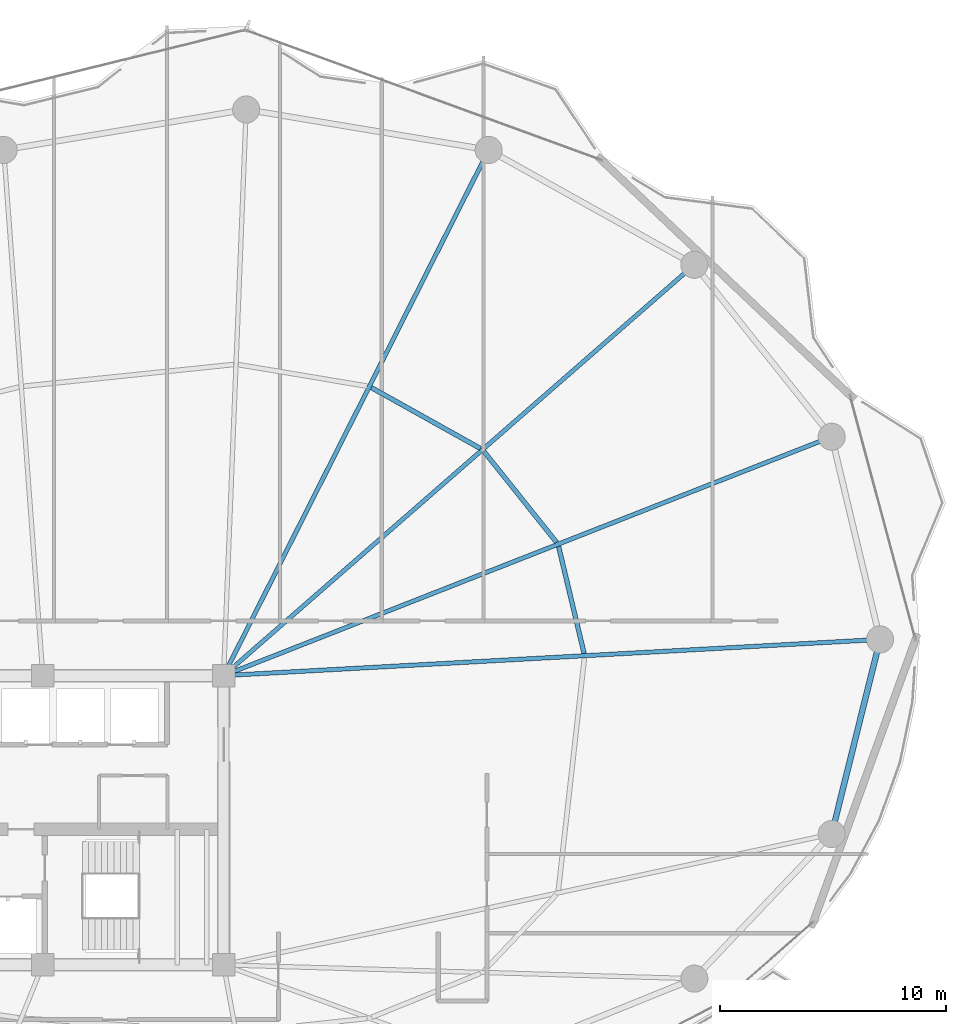
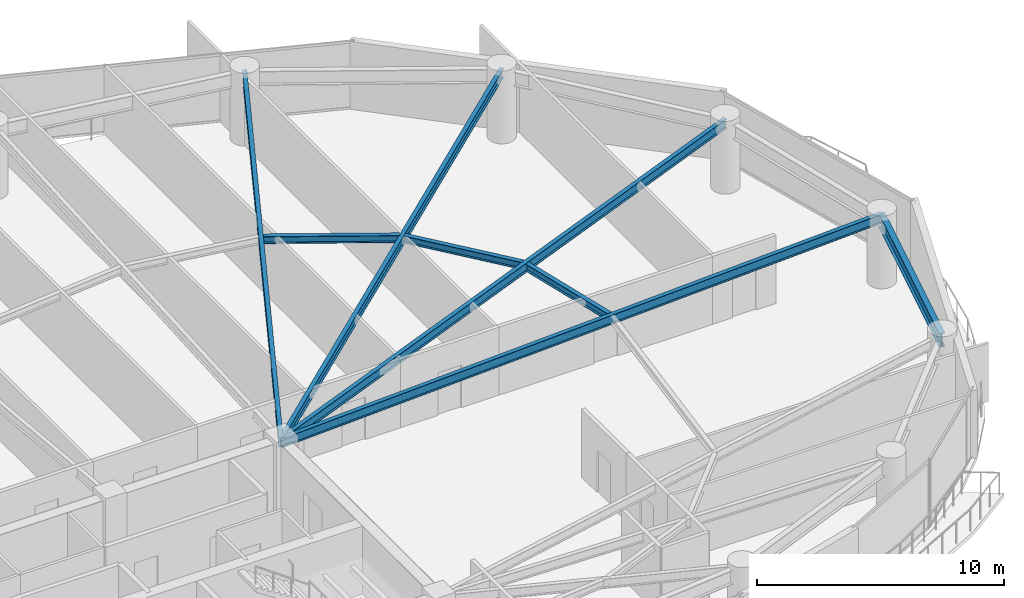
# One storey, part 14 of 28: 8 beams.
"""IFC4 building model written with IfcOpenShell, lengths in metres."""

from ifc_helpers import new_model, si_unit, direction, frame, origin, origin_2d, place, context, subcontext, project, spatial, i_section, extrude, material, material_profile, profile_set, type_object, element, save


model = new_model("IFC4")

# Units and contexts
model_context = context("Model", 3, precision=1e-05, world=origin(), true_north=direction((0.0, 1.0)))
body_context = subcontext(model_context, "Body", "Model", "MODEL_VIEW")
ifc_project = project(units=[si_unit("LENGTHUNIT", "METRE"), si_unit("AREAUNIT", "SQUARE_METRE"), si_unit("VOLUMEUNIT", "CUBIC_METRE"), si_unit("PLANEANGLEUNIT", "RADIAN"), si_unit("MASSUNIT", "GRAM", prefix="KILO")], contexts=[model_context])

# Site, building, storey
site_placement = place(None, origin())
site = spatial("IfcSite", under=ifc_project, at=site_placement, CompositionType="ELEMENT")
building_placement = place(site_placement, origin())
building = spatial("IfcBuilding", under=site, at=building_placement, Name="Kazevale Care Tower and Concert Hall", CompositionType="ELEMENT")
storey_placement = place(building_placement, frame((0.0, 0.0, 106.199951171875)))
storey = spatial("IfcBuildingStorey", under=building, at=storey_placement, Name="L27", CompositionType="ELEMENT", Elevation=106.199951171875)

# Beams
ifc_material = material(Name="Steel ASTM A572 Gr 50", Category="steel")
ifc_material_profile_1 = material_profile(ifc_material, i_section(OverallWidth=0.19091796875, OverallDepth=0.4599609375, WebThickness=0.010009765625, FlangeThickness=0.01611328125, at=origin_2d()), Name="W460x82")
ifc_profile_set_1 = profile_set([ifc_material_profile_1], Name="Steel ASTM A572 Gr 50")
beam_type_1 = type_object("IfcBeamType", Name="Radial Floor Beam W460x82", PredefinedType="BEAM", material=ifc_profile_set_1)
beam_1_placement = place(storey_placement, frame((44.0, 36.39990234375, 3.130126953125), z_axis=(0.998486500016, 0.054997357076, 0.0), x_axis=(-0.054997357076, 0.998486500016, 0.0)))
element("IfcBeam", 1, at=beam_1_placement, inside=storey, type_object=beam_type_1, Name="beam:L27:rad:01", PredefinedType="BEAM", context=body_context, shape_type="SweptSolid", body=[
    extrude(i_section(OverallWidth=0.19091796875, OverallDepth=0.4599609375, WebThickness=0.010009765625, FlangeThickness=0.01611328125, at=origin_2d()), origin(), (0.0, 0.0, 1.0), 29.093994140625),
])
beam_2_placement = place(storey_placement, frame((44.0, 36.39990234375, 3.130126953125), z_axis=(0.930771301513, 0.36560194786, 0.0), x_axis=(-0.36560194786, 0.930771301513, 0.0)))
element("IfcBeam", 2, at=beam_2_placement, inside=storey, type_object=beam_type_1, Name="beam:L27:rad:02", PredefinedType="BEAM", context=body_context, shape_type="SweptSolid", body=[
    extrude(i_section(OverallWidth=0.19091796875, OverallDepth=0.4599609375, WebThickness=0.010009765625, FlangeThickness=0.01611328125, at=origin_2d()), origin(), (0.0, 0.0, 1.0), 28.911376953125),
])
beam_3_placement = place(storey_placement, frame((44.0, 36.39990234375, 3.130126953125), z_axis=(0.753403181998, 0.657558853149, 0.0), x_axis=(-0.657558853149, 0.753403181998, 0.0)))
element("IfcBeam", 3, at=beam_3_placement, inside=storey, type_object=beam_type_1, Name="beam:L27:rad:03", PredefinedType="BEAM", context=body_context, shape_type="SweptSolid", body=[
    extrude(i_section(OverallWidth=0.19091796875, OverallDepth=0.4599609375, WebThickness=0.010009765625, FlangeThickness=0.01611328125, at=origin_2d()), origin(), (0.0, 0.0, 1.0), 27.64794921875),
])
beam_4_placement = place(storey_placement, frame((44.0, 36.39990234375, 3.130126953125), z_axis=(0.450281187568, 0.892886808124, 0.0), x_axis=(-0.892886808124, 0.450281187568, 0.0)))
element("IfcBeam", 4, at=beam_4_placement, inside=storey, type_object=beam_type_1, Name="beam:L27:rad:04", PredefinedType="BEAM", context=body_context, shape_type="SweptSolid", body=[
    extrude(i_section(OverallWidth=0.19091796875, OverallDepth=0.4599609375, WebThickness=0.010009765625, FlangeThickness=0.01611328125, at=origin_2d()), origin(), (0.0, 0.0, 1.0), 26.05029296875),
])
ifc_material_profile_2 = material_profile(ifc_material, i_section(OverallWidth=0.205078125, OverallDepth=0.35400390625, WebThickness=0.009521484375, FlangeThickness=0.016845703125, at=origin_2d()), Name="W360x79")
ifc_profile_set_2 = profile_set([ifc_material_profile_2], Name="Steel ASTM A572 Gr 50")
beam_type_2 = type_object("IfcBeamType", Name="Secondary Floor Joist W360x79", PredefinedType="JOIST", material=ifc_profile_set_2)
beam_5_placement = place(storey_placement, frame((59.952880859375, 37.382080078125, 3.18310546875), z_axis=(-0.232005223279, 0.972714540023, 0.0), x_axis=(-0.972714540023, -0.232005223279, 0.0)))
element("IfcBeam", 5, at=beam_5_placement, inside=storey, type_object=beam_type_2, Name="beam:L27:joist:01", PredefinedType="JOIST", context=body_context, shape_type="SweptSolid", body=[
    extrude(i_section(OverallWidth=0.205078125, OverallDepth=0.35400390625, WebThickness=0.009521484375, FlangeThickness=0.016845703125, at=origin_2d()), origin(), (0.0, 0.0, 1.0), 4.861572265625),
])
beam_6_placement = place(storey_placement, frame((58.735107421875, 42.2958984375, 3.18310546875), z_axis=(-0.624261115922, 0.781215757104, 0.0), x_axis=(-0.781215757104, -0.624261115922, 0.0)))
element("IfcBeam", 6, at=beam_6_placement, inside=storey, type_object=beam_type_2, Name="beam:L27:joist:02", PredefinedType="JOIST", context=body_context, shape_type="SweptSolid", body=[
    extrude(i_section(OverallWidth=0.205078125, OverallDepth=0.35400390625, WebThickness=0.009521484375, FlangeThickness=0.016845703125, at=origin_2d()), origin(), (0.0, 0.0, 1.0), 5.147216796875),
])
beam_7_placement = place(storey_placement, frame((55.364990234375, 46.449951171875, 3.18310546875), z_axis=(-0.873137755824, 0.487473547338, 0.0), x_axis=(-0.487473547338, -0.873137755824, 0.0)))
element("IfcBeam", 7, at=beam_7_placement, inside=storey, type_object=beam_type_2, Name="beam:L27:joist:03", PredefinedType="JOIST", context=body_context, shape_type="SweptSolid", body=[
    extrude(i_section(OverallWidth=0.205078125, OverallDepth=0.35400390625, WebThickness=0.009521484375, FlangeThickness=0.016845703125, at=origin_2d()), origin(), (0.0, 0.0, 1.0), 5.522705078125),
])
ifc_material_profile_3 = material_profile(ifc_material, i_section(OverallWidth=0.256103515625, OverallDepth=0.693115234375, WebThickness=0.014404296875, FlangeThickness=0.023681640625, at=origin_2d()), Name="W690x170")
ifc_profile_set_3 = profile_set([ifc_material_profile_3], Name="Steel ASTM A572 Gr 50")
beam_type_3 = type_object("IfcBeamType", Name="Waist Ring Beam W690x170", PredefinedType="BEAM", material=ifc_profile_set_3)
beam_8_placement = place(storey_placement, frame((70.909912109375, 29.389892578125, 3.013427734375), z_axis=(0.241221022882, 0.970470204653, 0.0), x_axis=(-0.970470204653, 0.241221022882, 0.0)))
element("IfcBeam", 8, at=beam_8_placement, inside=storey, type_object=beam_type_3, Name="beam:L27:ring:16", PredefinedType="BEAM", context=body_context, shape_type="SweptSolid", body=[
    extrude(i_section(OverallWidth=0.256103515625, OverallDepth=0.693115234375, WebThickness=0.014404296875, FlangeThickness=0.023681640625, at=origin_2d()), origin(), (0.0, 0.0, 1.0), 8.8720703125),
])

save(model, "model.ifc")
